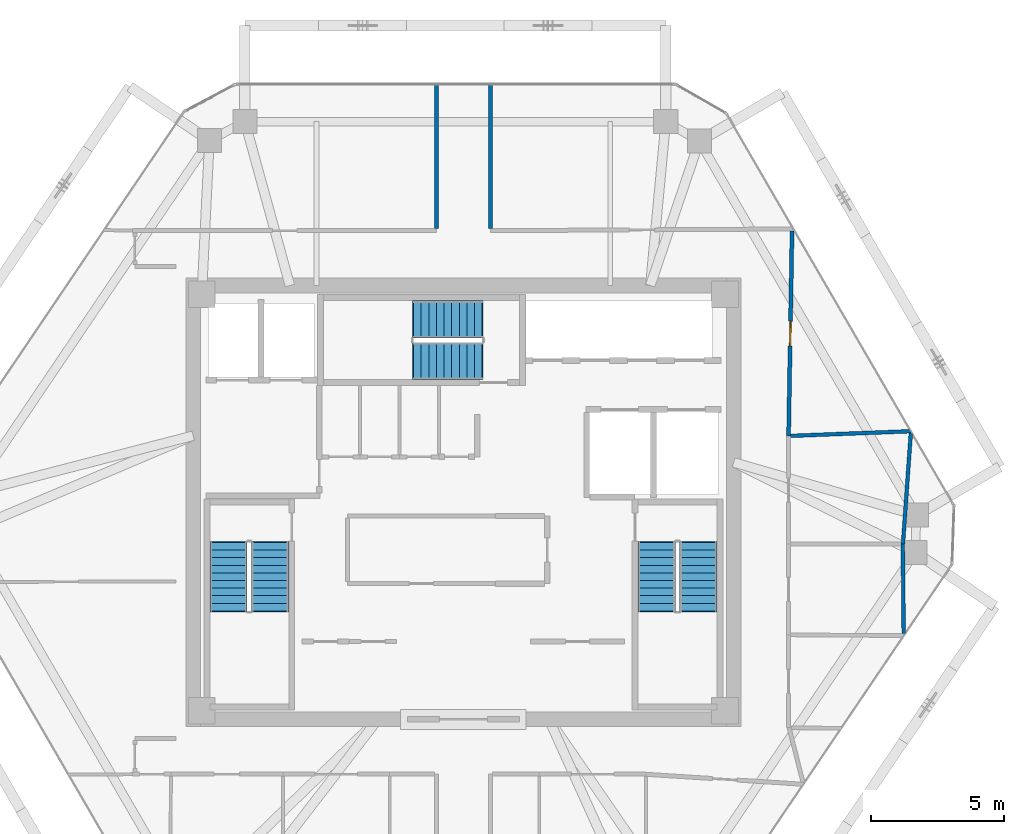
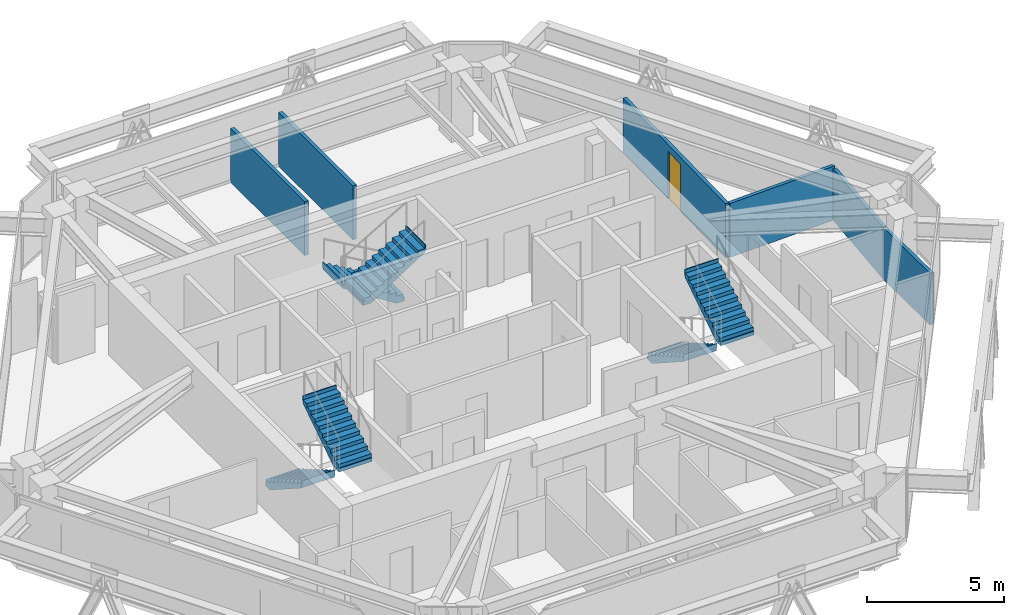
# One storey, part 12 of 13: 6 stair flights, 6 walls, 1 door, 1 opening, 3 elements without a shape of their own.
"""IFC4 building model written with IfcOpenShell, lengths in metres."""

import ifcopenshell
import ifcopenshell.guid

model = None  # the IFC model being written
_history = None  # IfcOwnerHistory: only IFC2X3 demands one
_inside = {}  # id of a spatial element -> (the spatial element, [elements in it])
_under = {}  # id of a project, library or spatial element -> (it, [spatial elements below it])
_declared = {}  # id of a project -> (the project, [libraries it declares])
_typed = {}  # id of a type object -> (the type object, [elements of that type])
_made_of = {}  # id of a material, layer set ... -> (it, [elements and type objects made of it])


def new_model(schema):
    """Start an empty IFC model of exactly this schema.

    Asked for "IFC4X3", IfcOpenShell would pick the latest addendum, in which some entities
    have other attributes; the version numbers below select the first issue.
    IFC2X3 requires an IfcOwnerHistory on every rooted entity: one is made here for all.
    """
    global model, _history
    if schema == "IFC4X3":
        model = ifcopenshell.file(schema_version=(4, 3, 0, 0))
    else:
        model = ifcopenshell.file(schema=schema)
    _inside.clear()
    _under.clear()
    _declared.clear()
    _typed.clear()
    _made_of.clear()
    _history = None
    if model.schema == "IFC2X3":
        org = make("IfcOrganization", Name="unknown")
        user = make(
            "IfcPersonAndOrganization",
            ThePerson=make("IfcPerson", FamilyName="unknown"),
            TheOrganization=org,
        )
        app = make(
            "IfcApplication",
            ApplicationDeveloper=org,
            Version="unknown",
            ApplicationFullName="unknown",
            ApplicationIdentifier="unknown",
        )
        _history = make(
            "IfcOwnerHistory",
            OwningUser=user,
            OwningApplication=app,
            ChangeAction="ADDED",
            CreationDate=0,
        )
    return model


def make(cls, **values):
    """One entity of the class cls with the attributes given. An attribute that is None is left unset."""
    return model.create_entity(
        cls, **{name: value for name, value in values.items() if value is not None}
    )


def rooted(cls, **values):
    """An entity with a GlobalId (a new one), such as an element, a storey or a relation."""
    return make(cls, GlobalId=ifcopenshell.guid.new(), OwnerHistory=_history, **values)


def si_unit(unit_type, name, prefix=None):
    """IfcSIUnit, for example si_unit("LENGTHUNIT", "METRE", prefix="MILLI")."""
    return make("IfcSIUnit", UnitType=unit_type, Prefix=prefix, Name=name)


def assignment(units):
    """IfcUnitAssignment: the units of a project."""
    return None if units is None else make("IfcUnitAssignment", Units=units)


def point(xyz):
    """IfcCartesianPoint."""
    return None if xyz is None else make("IfcCartesianPoint", Coordinates=xyz)


def direction(xyz):
    """IfcDirection."""
    return None if xyz is None else make("IfcDirection", DirectionRatios=xyz)


def frame(location, z_axis=None, x_axis=None):
    """IfcAxis2Placement3D, a coordinate frame: its origin and axes. An axis left out is left unset."""
    return make(
        "IfcAxis2Placement3D",
        Location=point(location),
        Axis=direction(z_axis),
        RefDirection=direction(x_axis),
    )


def frame_2d(location, x_axis=None):
    """IfcAxis2Placement2D, a coordinate frame in the plane: its origin and x axis."""
    return make(
        "IfcAxis2Placement2D", Location=point(location), RefDirection=direction(x_axis)
    )


def origin():
    """The frame at (0, 0, 0) with its axes left unset."""
    return frame((0.0, 0.0, 0.0))


def place(relative_to, where):
    """IfcLocalPlacement: puts the frame where relative to a parent placement (None: the world)."""
    return make(
        "IfcLocalPlacement", PlacementRelTo=relative_to, RelativePlacement=where
    )


def context(
    kind, dimensions, precision=None, world=None, true_north=None, identifier=None
):
    """IfcGeometricRepresentationContext, for example the 3D "Model" context."""
    return make(
        "IfcGeometricRepresentationContext",
        ContextIdentifier=identifier,
        ContextType=kind,
        CoordinateSpaceDimension=dimensions,
        Precision=precision,
        WorldCoordinateSystem=world,
        TrueNorth=true_north,
    )


def subcontext(parent, identifier, kind, view, scale=None):
    """IfcGeometricRepresentationSubContext, for example "Body" below "Model"."""
    return make(
        "IfcGeometricRepresentationSubContext",
        ContextIdentifier=identifier,
        ContextType=kind,
        ParentContext=parent,
        TargetScale=scale,
        TargetView=view,
    )


def project(units=None, contexts=None):
    """IfcProject with its units and contexts."""
    return rooted(
        "IfcProject",
        Name="project",
        RepresentationContexts=contexts,
        UnitsInContext=assignment(units),
    )


def spatial(cls, under=None, at=None, **own):
    """A site, building, storey or space (cls), placed at a placement, below another one or the project."""
    s = rooted(cls, ObjectPlacement=at, **own)
    if under is not None:
        _under.setdefault(under.id(), (under, []))[1].append(s)
    return s


def polyline(points):
    """IfcPolyline through the points."""
    return make("IfcPolyline", Points=[point(p) for p in points])


def profile(cls, at=None, kind="AREA", **sizes):
    """A parametric profile (cls). Its sizes go by their IFC names, for example OverallWidth=200.0."""
    return make(cls, ProfileType=kind, Position=at, **sizes)


def rectangle(**sizes):
    """IfcRectangleProfileDef."""
    return profile("IfcRectangleProfileDef", **sizes)


def outline(outer, holes=None, kind="AREA"):
    """IfcArbitraryClosedProfileDef: a profile drawn as a closed curve; with holes, ...WithVoids."""
    if holes is None:
        return make("IfcArbitraryClosedProfileDef", ProfileType=kind, OuterCurve=outer)
    return make(
        "IfcArbitraryProfileDefWithVoids",
        ProfileType=kind,
        OuterCurve=outer,
        InnerCurves=holes,
    )


def extrude(swept, where, along, depth):
    """IfcExtrudedAreaSolid: the profile swept, set in the frame where, extruded along a direction by depth."""
    return make(
        "IfcExtrudedAreaSolid",
        SweptArea=swept,
        Position=where,
        ExtrudedDirection=direction(along),
        Depth=depth,
    )


def shape(context_of_items, identifier, shape_type, items):
    """IfcShapeRepresentation: the items that make up one representation, for example the "Body"."""
    return make(
        "IfcShapeRepresentation",
        ContextOfItems=context_of_items,
        RepresentationIdentifier=identifier,
        RepresentationType=shape_type,
        Items=items,
    )


def source(mapping_origin, context_of_items, identifier, shape_type, items):
    """IfcRepresentationMap: a shape defined once, which mapped items show again and again."""
    return make(
        "IfcRepresentationMap",
        MappingOrigin=mapping_origin,
        MappedRepresentation=shape(context_of_items, identifier, shape_type, items),
    )


def transform(
    local_origin,
    x_axis=None,
    y_axis=None,
    z_axis=None,
    scale=None,
    scale2=None,
    scale3=None,
    uniform=True,
):
    """IfcCartesianTransformationOperator3D, or its non-uniform kind. x_axis, y_axis, z_axis: its Axis1, 2, 3."""
    if uniform:
        return make(
            "IfcCartesianTransformationOperator3D",
            Axis1=direction(x_axis),
            Axis2=direction(y_axis),
            LocalOrigin=point(local_origin),
            Scale=scale,
            Axis3=direction(z_axis),
        )
    return make(
        "IfcCartesianTransformationOperator3DnonUniform",
        Axis1=direction(x_axis),
        Axis2=direction(y_axis),
        LocalOrigin=point(local_origin),
        Scale=scale,
        Axis3=direction(z_axis),
        Scale2=scale2,
        Scale3=scale3,
    )


def mapped(mapping_source, mapping_target):
    """IfcMappedItem: shows the shape of a source again, moved by a transform."""
    return make(
        "IfcMappedItem", MappingSource=mapping_source, MappingTarget=mapping_target
    )


def material(Name=None, Category=None):
    """IfcMaterial."""
    return make("IfcMaterial", Name=Name, Category=Category)


def layer(
    of_material, thickness, ventilated=None, Name=None, Category=None, Priority=None
):
    """IfcMaterialLayer: one layer of a wall or slab, of a material (None: an air gap)."""
    return make(
        "IfcMaterialLayer",
        Material=of_material,
        LayerThickness=thickness,
        IsVentilated=ventilated,
        Name=Name,
        Category=Category,
        Priority=Priority,
    )


def layer_set(layers, Name=None):
    """IfcMaterialLayerSet."""
    return make("IfcMaterialLayerSet", MaterialLayers=layers, LayerSetName=Name)


def made_of(thing, what):
    """Note that an element or type object is made of a material, layer set ...; save() writes the relation."""
    if what is not None:
        _made_of.setdefault(what.id(), (what, []))[1].append(thing)
    return thing


def type_object(cls, material=None, **own):
    """A type object (cls), such as IfcWallType, which elements share."""
    return made_of(rooted(cls, **own), material)


def type_shapes(of_type, sources):
    """Give a type object the sources (RepresentationMaps) that its elements show as mapped items."""
    of_type.RepresentationMaps = sources


def element(
    cls,
    number,
    at=None,
    inside=None,
    cuts=None,
    type_object=None,
    material=None,
    context=None,
    identifier="Body",
    shape_type=None,
    held_by="IfcProductDefinitionShape",
    body=None,
    shapes=None,
    **own,
):
    """One element of the class cls, such as IfcWall. Its Tag is "e" and its number.

    at: its placement. inside: the storey or other place that contains it. cuts: it is an
    opening in that element (IfcRelVoidsElement). A single representation is given by context,
    identifier, shape_type and body (its items); several are given by shapes. held_by: the class
    of the entity that holds the representations. save() writes the other relations.
    """
    e = rooted(cls, Tag="e%d" % number, ObjectPlacement=at, **own)
    if body is not None:
        shapes = [shape(context, identifier, shape_type, body)]
    if shapes is not None:
        e.Representation = make(held_by, Representations=shapes)
    if inside is not None:
        _inside.setdefault(inside.id(), (inside, []))[1].append(e)
    if cuts is not None:
        rooted(
            "IfcRelVoidsElement", RelatingBuildingElement=cuts, RelatedOpeningElement=e
        )
    if type_object is not None:
        _typed.setdefault(type_object.id(), (type_object, []))[1].append(e)
    return made_of(e, material)


def fill(opening, filler):
    """IfcRelFillsElement: the door or window that sits in an opening."""
    return rooted(
        "IfcRelFillsElement",
        RelatingOpeningElement=opening,
        RelatedBuildingElement=filler,
    )


def aggregate(whole, parts):
    """IfcRelAggregates: a whole, such as a stair, and the parts it consists of."""
    return rooted("IfcRelAggregates", RelatingObject=whole, RelatedObjects=parts)


def save(model, path):
    """Write the relations noted so far, then the file.

    IfcRelAggregates (storeys below a building ...), IfcRelContainedInSpatialStructure (elements
    in a storey), IfcRelDefinesByType, IfcRelAssociatesMaterial and IfcRelDeclares: one each for
    every whole, place, type object, material and project.
    """
    for whole, parts in _under.values():
        aggregate(whole, parts)
    for where, things in _inside.values():
        rooted(
            "IfcRelContainedInSpatialStructure",
            RelatedElements=things,
            RelatingStructure=where,
        )
    for kind, things in _typed.values():
        rooted("IfcRelDefinesByType", RelatedObjects=things, RelatingType=kind)
    for what, things in _made_of.values():
        rooted("IfcRelAssociatesMaterial", RelatedObjects=things, RelatingMaterial=what)
    for by, libraries in _declared.values():
        rooted("IfcRelDeclares", RelatingContext=by, RelatedDefinitions=libraries)
    model.write(path)


model = new_model("IFC4")

# Units and contexts
model_context = context("Model", 3, precision=1e-05, world=origin(), true_north=direction((0.0, 1.0)))
body_context = subcontext(model_context, "Body", "Model", "MODEL_VIEW")
ifc_project = project(units=[si_unit("LENGTHUNIT", "METRE"), si_unit("AREAUNIT", "SQUARE_METRE"), si_unit("VOLUMEUNIT", "CUBIC_METRE"), si_unit("PLANEANGLEUNIT", "RADIAN"), si_unit("MASSUNIT", "GRAM", prefix="KILO")], contexts=[model_context])

# Site, building, storey
site_placement = place(None, origin())
site = spatial("IfcSite", under=ifc_project, at=site_placement, CompositionType="ELEMENT")
building_placement = place(site_placement, origin())
building = spatial("IfcBuilding", under=site, at=building_placement, Name="Durnholm Broadcast Tower", CompositionType="ELEMENT")
storey_placement = place(building_placement, frame((0.0, 0.0, 248.0)))
storey = spatial("IfcBuildingStorey", under=building, at=storey_placement, Name="L69", CompositionType="ELEMENT", Elevation=248.0)

# Walls
ifc_material_1 = material(Name="Acoustic Gypsum Stud Partition", Category="concrete")
ifc_layer_1 = layer(ifc_material_1, 0.14990234375)
ifc_layer_set_1 = layer_set([ifc_layer_1], Name="Acoustic Gypsum Stud Partition")
wall_type_1 = type_object("IfcWallType", Name="WALL-PART-150", PredefinedType="PARTITIONING", material=ifc_layer_set_1)
for number, where, z_axis, x_axis, name in (
    (1, (-1.010009765625, 15.662109375, 0.0), (0.0, 0.0, 1.0), (0.0, -1.0, 0.0), "L69 Open Plan Broadcast Workspace 2 corridor partition"),
    (2, (1.010009765625, 10.259033203125, 0.0), (0.0, 0.0, 1.0), (0.0, 1.0, 0.0), "L69 Open Plan Broadcast Workspace 3 corridor partition"),
):
    element("IfcWall", number, at=place(storey_placement, frame(where, z_axis=z_axis, x_axis=x_axis)), inside=storey, type_object=wall_type_1, Name=name, PredefinedType="PARTITIONING", context=body_context, shape_type="SweptSolid", body=[
        extrude(rectangle(XDim=5.403076171875, YDim=0.14990234375, at=frame_2d((2.70166015625, 0.0))), origin(), (0.0, 0.0, 1.0), 2.398681640625),
    ])

# Wall, opening, door
wall_1_placement = place(storey_placement, frame((12.181396484375, 2.489990234375, 0.0), z_axis=(0.0, 0.0, 1.0), x_axis=(0.016828134389, 0.999858396921, 0.0)))
wall_1 = element("IfcWall", 3, at=wall_1_placement, inside=storey, type_object=wall_type_1, Name="L69 Open Plan Broadcast Workspace 2 corridor partition", PredefinedType="PARTITIONING", context=body_context, shape_type="SweptSolid", body=[
    extrude(rectangle(XDim=7.674560546875, YDim=0.14990234375, at=frame_2d((3.83740234375, 0.0))), origin(), (0.0, 0.0, 1.0), 2.398681640625),
])
opening_placement = place(wall_1_placement, frame((3.377197265625, 0.0, 0.0)))
opening = element("IfcOpeningElement", 4, at=opening_placement, cuts=wall_1, Name="Opening DR-92L", PredefinedType="OPENING", context=body_context, shape_type="SweptSolid", body=[
    extrude(rectangle(XDim=0.919921875, YDim=2.10009765625, at=frame_2d((0.4599609375, 1.050048828125))), frame((0.0, 0.0849609375, 0.0), z_axis=(0.0, -1.0, 0.0), x_axis=(1.0, 0.0, 0.0)), (0.0, 0.0, 1.0), 0.169921875),
])
ifc_material_2 = material(Name="Oak Veneer Office Door", Category="wood")
ifc_layer_2 = layer(ifc_material_2, 0.050048828125)
ifc_layer_set_2 = layer_set([ifc_layer_2], Name="Oak Veneer Office Door")
door_type = type_object("IfcDoorType", Name="DOOR-RM-920L", OperationType="NOTDEFINED", PredefinedType="DOOR", material=ifc_layer_set_2)
shared_shape = source(origin(), body_context, "Body", "SweptSolid", [
    extrude(rectangle(XDim=0.919921875, YDim=2.10009765625, at=frame_2d((0.4599609375, 1.050048828125))), frame((0.0, 0.02490234375, 0.0), z_axis=(0.0, -1.0, 0.0), x_axis=(1.0, 0.0, 0.0)), (0.0, 0.0, 1.0), 0.050048828125),
])
type_shapes(door_type, [shared_shape])
door_placement = place(opening_placement, origin())
door = element("IfcDoor", 5, at=door_placement, inside=storey, type_object=door_type, Name="L69 Open Plan Broadcast Workspace 2 entrance door", OperationType="SINGLE_SWING_LEFT", OverallHeight=2.10009765625, OverallWidth=0.919921875, PredefinedType="DOOR", context=body_context, shape_type="MappedRepresentation", body=[
    mapped(shared_shape, transform((0.0, 0.0, 0.0), x_axis=(1.0, 0.0, 0.0), y_axis=(0.0, 1.0, 0.0), z_axis=(0.0, 0.0, 1.0), scale=1.0)),
])
fill(opening, door)

# Walls
ifc_material_3 = material(Name="Moisture-Resistant Tile Partition", Category="concrete")
ifc_layer_3 = layer(ifc_material_3, 0.139892578125)
ifc_layer_set_3 = layer_set([ifc_layer_3], Name="Moisture-Resistant Tile Partition")
wall_type_2 = type_object("IfcWallType", Name="WALL-WC-140", PredefinedType="PARTITIONING", material=ifc_layer_set_3)
wall_2_placement = place(storey_placement, frame((16.4599609375, -1.56005859375, 0.0), z_axis=(0.0, 0.0, 1.0), x_axis=(0.009604446748, -0.999953876238, 0.0)))
element("IfcWall", 6, at=wall_2_placement, inside=storey, type_object=wall_type_2, Name="L69 room dividing partition 11.25", PredefinedType="PARTITIONING", context=body_context, shape_type="SweptSolid", body=[
    extrude(rectangle(XDim=3.35546875, YDim=0.139892578125, at=frame_2d((1.677734375, 0.0))), origin(), (0.0, 0.0, 1.0), 2.30126953125),
])
wall_3_placement = place(storey_placement, frame((12.260498046875, 2.4931640625, 0.0), z_axis=(0.0, 0.0, 1.0), x_axis=(0.999256206289, 0.038562082324, 0.0)))
element("IfcWall", 7, at=wall_3_placement, inside=storey, type_object=wall_type_2, Name="L69 room dividing partition 12.25", PredefinedType="PARTITIONING", context=body_context, shape_type="SweptSolid", body=[
    extrude(rectangle(XDim=4.5078125, YDim=0.139892578125, at=frame_2d((2.25390625, 0.0))), origin(), (0.0, 0.0, 1.0), 2.398681640625),
])
wall_4_placement = place(storey_placement, frame((16.759521484375, 2.5927734375, 0.0), z_axis=(0.0, 0.0, 1.0), x_axis=(-0.07055102187, -0.997508172053, 0.0)))
element("IfcWall", 8, at=wall_4_placement, inside=storey, type_object=wall_type_2, Name="L69 room dividing partition 12.25", PredefinedType="PARTITIONING", context=body_context, shape_type="SweptSolid", body=[
    extrude(rectangle(XDim=4.162841796875, YDim=0.139892578125, at=frame_2d((2.08154296875, 0.0))), origin(), (0.0, 0.0, 1.0), 2.30126953125),
])

# Stair, stair flights
ifc_material_4 = material(Name="Concrete C50/60", Category="concrete")
stair_type = type_object("IfcStairType", Name="STAIR-DL-20R1650", PredefinedType="HALF_TURN_STAIR", material=ifc_material_4)
stair_1_placement = place(storey_placement, origin())
stair_1 = element("IfcStair", 9, at=stair_1_placement, inside=storey, type_object=stair_type, Name="L69 ST-1", PredefinedType="HALF_TURN_STAIR")
stair_flight_type = type_object("IfcStairFlightType", Name="FLIGHT-DL-20R1650", PredefinedType="STRAIGHT", material=ifc_material_4)
stair_flight_1_placement = place(storey_placement, frame((-8.800048828125, -1.5, 0.0), z_axis=(0.0, 0.0, 1.0), x_axis=(0.0, -1.0, 0.0)))
stair_flight_1 = element("IfcStairFlight", 10, at=stair_flight_1_placement, type_object=stair_flight_type, Name="ST-1 flight 1", NumberOfRisers=10, NumberOfTreads=9, PredefinedType="STRAIGHT", RiserHeight=0.165, TreadLength=0.285, context=body_context, shape_type="SweptSolid", body=[
    extrude(outline(polyline([(-0.0400390625, -0.14990234375), (-0.0400390625, 0.0), (0.0, 0.0), (0.0, 0.1650390625), (0.284912109375, 0.1650390625), (0.284912109375, 0.330078125), (0.570068359375, 0.330078125), (0.570068359375, 0.4951171875), (0.85498046875, 0.4951171875), (0.85498046875, 0.659912109375), (1.139892578125, 0.659912109375), (1.139892578125, 0.824951171875), (1.425048828125, 0.824951171875), (1.425048828125, 0.989990234375), (1.7099609375, 0.989990234375), (1.7099609375, 1.155029296875), (1.9951171875, 1.155029296875), (1.9951171875, 1.320068359375), (2.280029296875, 1.320068359375), (2.280029296875, 1.485107421875), (2.56494140625, 1.485107421875), (2.56494140625, 1.64990234375), (2.60498046875, 1.64990234375), (2.60498046875, 1.5), (2.56494140625, 1.311767578125), (0.299072265625, -0.14990234375), (-0.0400390625, -0.14990234375)])), frame((0.0, 0.699951171875, 0.0), z_axis=(0.0, -1.0, 0.0), x_axis=(1.0, 0.0, 0.0)), (0.0, 0.0, 1.0), 1.39990234375),
])
stair_flight_2_placement = place(storey_placement, frame((-7.239990234375, -4.06494140625, 1.64990234375), z_axis=(0.0, 0.0, 1.0), x_axis=(0.0, 1.0, 0.0)))
stair_flight_2 = element("IfcStairFlight", 11, at=stair_flight_2_placement, type_object=stair_flight_type, Name="ST-1 flight 2", NumberOfRisers=10, NumberOfTreads=9, PredefinedType="STRAIGHT", RiserHeight=0.165, TreadLength=0.285, context=body_context, shape_type="SweptSolid", body=[
    extrude(outline(polyline([(-0.0400390625, -0.14990234375), (-0.0400390625, 0.0), (0.0, 0.0), (0.0, 0.1650390625), (0.284912109375, 0.1650390625), (0.284912109375, 0.330078125), (0.570068359375, 0.330078125), (0.570068359375, 0.4951171875), (0.85498046875, 0.4951171875), (0.85498046875, 0.659912109375), (1.139892578125, 0.659912109375), (1.139892578125, 0.824951171875), (1.425048828125, 0.824951171875), (1.425048828125, 0.989990234375), (1.7099609375, 0.989990234375), (1.7099609375, 1.155029296875), (1.9951171875, 1.155029296875), (1.9951171875, 1.320068359375), (2.280029296875, 1.320068359375), (2.280029296875, 1.485107421875), (2.56494140625, 1.485107421875), (2.56494140625, 1.64990234375), (2.60498046875, 1.64990234375), (2.60498046875, 1.5), (2.56494140625, 1.311767578125), (0.299072265625, -0.14990234375), (-0.0400390625, -0.14990234375)])), frame((0.0, 0.699951171875, 0.0), z_axis=(0.0, -1.0, 0.0), x_axis=(1.0, 0.0, 0.0)), (0.0, 0.0, 1.0), 1.39990234375),
])
aggregate(stair_1, [stair_flight_1, stair_flight_2])

stair_2_placement = place(storey_placement, origin())
stair_2 = element("IfcStair", 12, at=stair_2_placement, inside=storey, type_object=stair_type, Name="L69 ST-2", PredefinedType="HALF_TURN_STAIR")
stair_flight_3_placement = place(storey_placement, frame((7.239990234375, -1.5, 0.0), z_axis=(0.0, 0.0, 1.0), x_axis=(0.0, -1.0, 0.0)))
stair_flight_3 = element("IfcStairFlight", 13, at=stair_flight_3_placement, type_object=stair_flight_type, Name="ST-2 flight 1", NumberOfRisers=10, NumberOfTreads=9, PredefinedType="STRAIGHT", RiserHeight=0.165, TreadLength=0.285, context=body_context, shape_type="SweptSolid", body=[
    extrude(outline(polyline([(-0.0400390625, -0.14990234375), (-0.0400390625, 0.0), (0.0, 0.0), (0.0, 0.1650390625), (0.284912109375, 0.1650390625), (0.284912109375, 0.330078125), (0.570068359375, 0.330078125), (0.570068359375, 0.4951171875), (0.85498046875, 0.4951171875), (0.85498046875, 0.659912109375), (1.139892578125, 0.659912109375), (1.139892578125, 0.824951171875), (1.425048828125, 0.824951171875), (1.425048828125, 0.989990234375), (1.7099609375, 0.989990234375), (1.7099609375, 1.155029296875), (1.9951171875, 1.155029296875), (1.9951171875, 1.320068359375), (2.280029296875, 1.320068359375), (2.280029296875, 1.485107421875), (2.56494140625, 1.485107421875), (2.56494140625, 1.64990234375), (2.60498046875, 1.64990234375), (2.60498046875, 1.5), (2.56494140625, 1.311767578125), (0.299072265625, -0.14990234375), (-0.0400390625, -0.14990234375)])), frame((0.0, 0.699951171875, 0.0), z_axis=(0.0, -1.0, 0.0), x_axis=(1.0, 0.0, 0.0)), (0.0, 0.0, 1.0), 1.39990234375),
])
stair_flight_4_placement = place(storey_placement, frame((8.800048828125, -4.06494140625, 1.64990234375), z_axis=(0.0, 0.0, 1.0), x_axis=(0.0, 1.0, 0.0)))
stair_flight_4 = element("IfcStairFlight", 14, at=stair_flight_4_placement, type_object=stair_flight_type, Name="ST-2 flight 2", NumberOfRisers=10, NumberOfTreads=9, PredefinedType="STRAIGHT", RiserHeight=0.165, TreadLength=0.285, context=body_context, shape_type="SweptSolid", body=[
    extrude(outline(polyline([(-0.0400390625, -0.14990234375), (-0.0400390625, 0.0), (0.0, 0.0), (0.0, 0.1650390625), (0.284912109375, 0.1650390625), (0.284912109375, 0.330078125), (0.570068359375, 0.330078125), (0.570068359375, 0.4951171875), (0.85498046875, 0.4951171875), (0.85498046875, 0.659912109375), (1.139892578125, 0.659912109375), (1.139892578125, 0.824951171875), (1.425048828125, 0.824951171875), (1.425048828125, 0.989990234375), (1.7099609375, 0.989990234375), (1.7099609375, 1.155029296875), (1.9951171875, 1.155029296875), (1.9951171875, 1.320068359375), (2.280029296875, 1.320068359375), (2.280029296875, 1.485107421875), (2.56494140625, 1.485107421875), (2.56494140625, 1.64990234375), (2.60498046875, 1.64990234375), (2.60498046875, 1.5), (2.56494140625, 1.311767578125), (0.299072265625, -0.14990234375), (-0.0400390625, -0.14990234375)])), frame((0.0, 0.699951171875, 0.0), z_axis=(0.0, -1.0, 0.0), x_axis=(1.0, 0.0, 0.0)), (0.0, 0.0, 1.0), 1.39990234375),
])
aggregate(stair_2, [stair_flight_3, stair_flight_4])

stair_3_placement = place(storey_placement, origin())
stair_3 = element("IfcStair", 15, at=stair_3_placement, inside=storey, type_object=stair_type, Name="L69 ST-3", PredefinedType="HALF_TURN_STAIR")
stair_flight_5_placement = place(storey_placement, frame((0.699951171875, 6.860107421875, 0.0), z_axis=(0.0, 0.0, 1.0), x_axis=(-1.0, 0.0, 0.0)))
stair_flight_5 = element("IfcStairFlight", 16, at=stair_flight_5_placement, type_object=stair_flight_type, Name="ST-3 flight 1", NumberOfRisers=10, NumberOfTreads=9, PredefinedType="STRAIGHT", RiserHeight=0.165, TreadLength=0.285, context=body_context, shape_type="SweptSolid", body=[
    extrude(outline(polyline([(-0.0400390625, -0.14990234375), (-0.0400390625, 0.0), (0.0, 0.0), (0.0, 0.1650390625), (0.284912109375, 0.1650390625), (0.284912109375, 0.330078125), (0.570068359375, 0.330078125), (0.570068359375, 0.4951171875), (0.85498046875, 0.4951171875), (0.85498046875, 0.659912109375), (1.139892578125, 0.659912109375), (1.139892578125, 0.824951171875), (1.425048828125, 0.824951171875), (1.425048828125, 0.989990234375), (1.7099609375, 0.989990234375), (1.7099609375, 1.155029296875), (1.9951171875, 1.155029296875), (1.9951171875, 1.320068359375), (2.280029296875, 1.320068359375), (2.280029296875, 1.485107421875), (2.56494140625, 1.485107421875), (2.56494140625, 1.64990234375), (2.60498046875, 1.64990234375), (2.60498046875, 1.5), (2.56494140625, 1.311767578125), (0.299072265625, -0.14990234375), (-0.0400390625, -0.14990234375)])), frame((0.0, 0.699951171875, 0.0), z_axis=(0.0, -1.0, 0.0), x_axis=(1.0, 0.0, 0.0)), (0.0, 0.0, 1.0), 1.39990234375),
])
stair_flight_6_placement = place(storey_placement, frame((-1.864990234375, 5.300048828125, 1.64990234375), z_axis=(0.0, 0.0, 1.0), x_axis=(1.0, 0.0, 0.0)))
stair_flight_6 = element("IfcStairFlight", 17, at=stair_flight_6_placement, type_object=stair_flight_type, Name="ST-3 flight 2", NumberOfRisers=10, NumberOfTreads=9, PredefinedType="STRAIGHT", RiserHeight=0.165, TreadLength=0.285, context=body_context, shape_type="SweptSolid", body=[
    extrude(outline(polyline([(-0.0400390625, -0.14990234375), (-0.0400390625, 0.0), (0.0, 0.0), (0.0, 0.1650390625), (0.284912109375, 0.1650390625), (0.284912109375, 0.330078125), (0.570068359375, 0.330078125), (0.570068359375, 0.4951171875), (0.85498046875, 0.4951171875), (0.85498046875, 0.659912109375), (1.139892578125, 0.659912109375), (1.139892578125, 0.824951171875), (1.425048828125, 0.824951171875), (1.425048828125, 0.989990234375), (1.7099609375, 0.989990234375), (1.7099609375, 1.155029296875), (1.9951171875, 1.155029296875), (1.9951171875, 1.320068359375), (2.280029296875, 1.320068359375), (2.280029296875, 1.485107421875), (2.56494140625, 1.485107421875), (2.56494140625, 1.64990234375), (2.60498046875, 1.64990234375), (2.60498046875, 1.5), (2.56494140625, 1.311767578125), (0.299072265625, -0.14990234375), (-0.0400390625, -0.14990234375)])), frame((0.0, 0.699951171875, 0.0), z_axis=(0.0, -1.0, 0.0), x_axis=(1.0, 0.0, 0.0)), (0.0, 0.0, 1.0), 1.39990234375),
])
aggregate(stair_3, [stair_flight_5, stair_flight_6])

save(model, "model.ifc")
